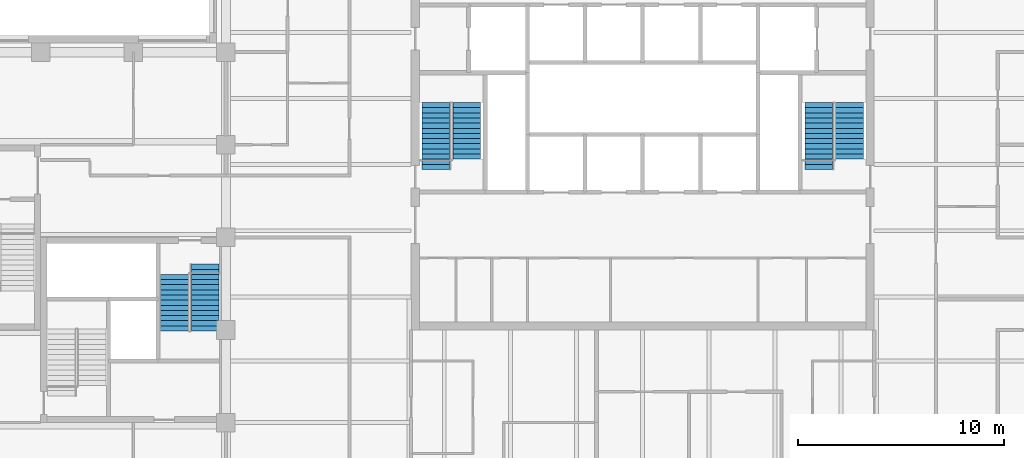
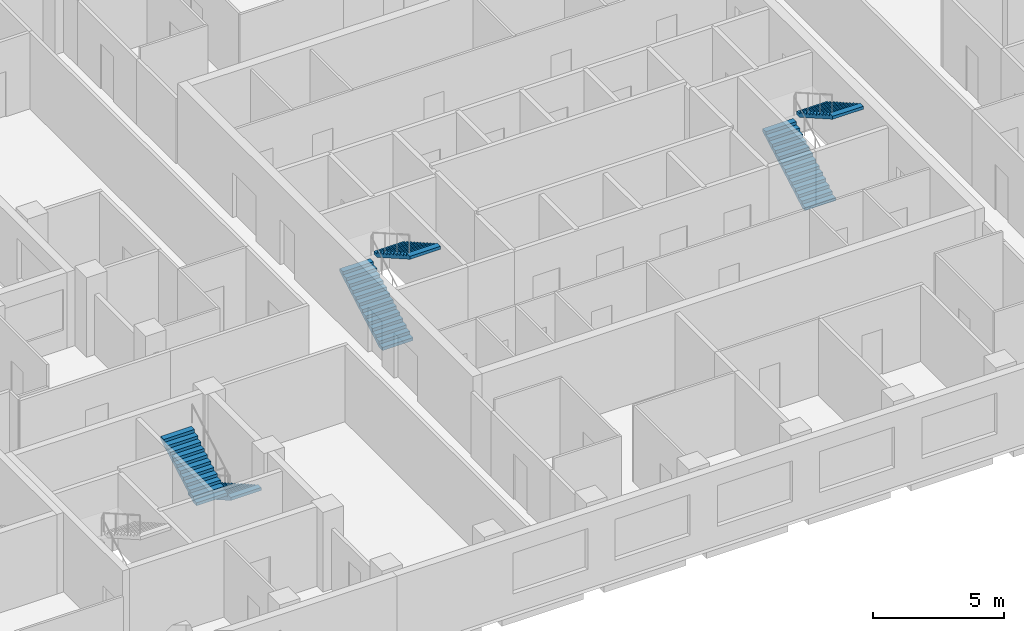
# One storey, part 9 of 10: 6 stair flights, 3 elements without a shape of their own.
"""IFC4 building model written with IfcOpenShell, lengths in metres."""

from ifc_helpers import new_model, si_unit, direction, frame, origin, place, context, subcontext, project, spatial, polyline, outline, extrude, material, type_object, element, aggregate, save


model = new_model("IFC4")

# Units and contexts
model_context = context("Model", 3, precision=1e-05, world=origin(), true_north=direction((0.0, 1.0)))
body_context = subcontext(model_context, "Body", "Model", "MODEL_VIEW")
ifc_project = project(units=[si_unit("LENGTHUNIT", "METRE"), si_unit("AREAUNIT", "SQUARE_METRE"), si_unit("VOLUMEUNIT", "CUBIC_METRE"), si_unit("PLANEANGLEUNIT", "RADIAN"), si_unit("MASSUNIT", "GRAM", prefix="KILO")], contexts=[model_context])

# Site, building, storey
site_placement = place(None, origin())
site = spatial("IfcSite", under=ifc_project, at=site_placement, CompositionType="ELEMENT")
building_placement = place(site_placement, origin())
building = spatial("IfcBuilding", under=site, at=building_placement, Name="Quoin Convention Tower", CompositionType="ELEMENT")
storey_placement = place(building_placement, frame((0.0, 0.0, 195.800048828125)))
storey = spatial("IfcBuildingStorey", under=building, at=storey_placement, Name="L51", CompositionType="ELEMENT", Elevation=195.800048828125)

# Stair, stair flights
ifc_material = material(Name="Concrete C40", Category="concrete")
stair_type = type_object("IfcStairType", Name="Exit stair two-flight 1350", PredefinedType="HALF_TURN_STAIR", material=ifc_material)
stair_1_placement = place(storey_placement, origin())
stair_1 = element("IfcStair", 1, at=stair_1_placement, inside=storey, type_object=stair_type, Name="SD1 L51", PredefinedType="HALF_TURN_STAIR")
stair_flight_type = type_object("IfcStairFlightType", Name="Stair flight 1350", PredefinedType="STRAIGHT", material=ifc_material)
stair_flight_1_placement = place(storey_placement, frame((46.199951171875, 57.300048828125, 0.0), z_axis=(0.0, 0.0, 1.0), x_axis=(0.0, 1.0, 0.0)))
stair_flight_1 = element("IfcStairFlight", 2, at=stair_flight_1_placement, type_object=stair_flight_type, Name="ST1 flight 1", NumberOfRisers=14, NumberOfTreads=13, PredefinedType="STRAIGHT", RiserHeight=0.142307692, TreadLength=0.25, context=body_context, shape_type="SweptSolid", body=[
    extrude(outline(polyline([(0.0, 0.0), (0.0, 0.142333984375), (0.25, 0.142333984375), (0.25, 0.28466796875), (0.5, 0.28466796875), (0.5, 0.427001953125), (0.75, 0.427001953125), (0.75, 0.5693359375), (1.0, 0.5693359375), (1.0, 0.71142578125), (1.25, 0.71142578125), (1.25, 0.853759765625), (1.5, 0.853759765625), (1.5, 0.99609375), (1.75, 0.99609375), (1.75, 1.138427734375), (2.0, 1.138427734375), (2.0, 1.28076171875), (2.25, 1.28076171875), (2.25, 1.423095703125), (2.5, 1.423095703125), (2.5, 1.5654296875), (2.75, 1.5654296875), (2.75, 1.707763671875), (3.0, 1.707763671875), (3.0, 1.85009765625), (3.25, 1.85009765625), (3.25, 1.9921875), (3.25, 1.711669921875), (0.242919921875, 0.0), (0.0, 0.0)])), frame((0.0, 0.675048828125, 0.0), z_axis=(0.0, -1.0, 0.0), x_axis=(1.0, 0.0, 0.0)), (0.0, 0.0, 1.0), 1.35009765625),
])
stair_flight_2_placement = place(storey_placement, frame((47.699951171875, 60.550048828125, 1.9921875), z_axis=(0.0, 0.0, 1.0), x_axis=(0.0, -1.0, 0.0)))
stair_flight_2 = element("IfcStairFlight", 3, at=stair_flight_2_placement, type_object=stair_flight_type, Name="ST1 flight 2", NumberOfRisers=12, NumberOfTreads=11, PredefinedType="STRAIGHT", RiserHeight=0.142307692, TreadLength=0.25, context=body_context, shape_type="SweptSolid", body=[
    extrude(outline(polyline([(0.0, 0.0), (0.0, 0.142333984375), (0.25, 0.142333984375), (0.25, 0.28466796875), (0.5, 0.28466796875), (0.5, 0.427001953125), (0.75, 0.427001953125), (0.75, 0.5693359375), (1.0, 0.5693359375), (1.0, 0.71142578125), (1.25, 0.71142578125), (1.25, 0.853759765625), (1.5, 0.853759765625), (1.5, 0.99609375), (1.75, 0.99609375), (1.75, 1.138427734375), (2.0, 1.138427734375), (2.0, 1.28076171875), (2.25, 1.28076171875), (2.25, 1.423095703125), (2.5, 1.423095703125), (2.5, 1.5654296875), (2.75, 1.5654296875), (2.75, 1.707763671875), (2.75, 1.42724609375), (0.242919921875, 0.0), (0.0, 0.0)])), frame((0.0, 0.675048828125, 0.0), z_axis=(0.0, -1.0, 0.0), x_axis=(1.0, 0.0, 0.0)), (0.0, 0.0, 1.0), 1.35009765625),
])
aggregate(stair_1, [stair_flight_1, stair_flight_2])

stair_2_placement = place(storey_placement, origin())
stair_2 = element("IfcStair", 4, at=stair_2_placement, inside=storey, type_object=stair_type, Name="SD2 L51", PredefinedType="HALF_TURN_STAIR")
stair_flight_3_placement = place(storey_placement, frame((64.800048828125, 57.300048828125, 0.0), z_axis=(0.0, 0.0, 1.0), x_axis=(0.0, 1.0, 0.0)))
stair_flight_3 = element("IfcStairFlight", 5, at=stair_flight_3_placement, type_object=stair_flight_type, Name="ST2 flight 1", NumberOfRisers=14, NumberOfTreads=13, PredefinedType="STRAIGHT", RiserHeight=0.142307692, TreadLength=0.25, context=body_context, shape_type="SweptSolid", body=[
    extrude(outline(polyline([(0.0, 0.0), (0.0, 0.142333984375), (0.25, 0.142333984375), (0.25, 0.28466796875), (0.5, 0.28466796875), (0.5, 0.427001953125), (0.75, 0.427001953125), (0.75, 0.5693359375), (1.0, 0.5693359375), (1.0, 0.71142578125), (1.25, 0.71142578125), (1.25, 0.853759765625), (1.5, 0.853759765625), (1.5, 0.99609375), (1.75, 0.99609375), (1.75, 1.138427734375), (2.0, 1.138427734375), (2.0, 1.28076171875), (2.25, 1.28076171875), (2.25, 1.423095703125), (2.5, 1.423095703125), (2.5, 1.5654296875), (2.75, 1.5654296875), (2.75, 1.707763671875), (3.0, 1.707763671875), (3.0, 1.85009765625), (3.25, 1.85009765625), (3.25, 1.9921875), (3.25, 1.711669921875), (0.242919921875, 0.0), (0.0, 0.0)])), frame((0.0, 0.675048828125, 0.0), z_axis=(0.0, -1.0, 0.0), x_axis=(1.0, 0.0, 0.0)), (0.0, 0.0, 1.0), 1.35009765625),
])
stair_flight_4_placement = place(storey_placement, frame((66.300048828125, 60.550048828125, 1.9921875), z_axis=(0.0, 0.0, 1.0), x_axis=(0.0, -1.0, 0.0)))
stair_flight_4 = element("IfcStairFlight", 6, at=stair_flight_4_placement, type_object=stair_flight_type, Name="ST2 flight 2", NumberOfRisers=12, NumberOfTreads=11, PredefinedType="STRAIGHT", RiserHeight=0.142307692, TreadLength=0.25, context=body_context, shape_type="SweptSolid", body=[
    extrude(outline(polyline([(0.0, 0.0), (0.0, 0.142333984375), (0.25, 0.142333984375), (0.25, 0.28466796875), (0.5, 0.28466796875), (0.5, 0.427001953125), (0.75, 0.427001953125), (0.75, 0.5693359375), (1.0, 0.5693359375), (1.0, 0.71142578125), (1.25, 0.71142578125), (1.25, 0.853759765625), (1.5, 0.853759765625), (1.5, 0.99609375), (1.75, 0.99609375), (1.75, 1.138427734375), (2.0, 1.138427734375), (2.0, 1.28076171875), (2.25, 1.28076171875), (2.25, 1.423095703125), (2.5, 1.423095703125), (2.5, 1.5654296875), (2.75, 1.5654296875), (2.75, 1.707763671875), (2.75, 1.42724609375), (0.242919921875, 0.0), (0.0, 0.0)])), frame((0.0, 0.675048828125, 0.0), z_axis=(0.0, -1.0, 0.0), x_axis=(1.0, 0.0, 0.0)), (0.0, 0.0, 1.0), 1.35009765625),
])
aggregate(stair_2, [stair_flight_3, stair_flight_4])

stair_3_placement = place(storey_placement, origin())
stair_3 = element("IfcStair", 7, at=stair_3_placement, inside=storey, type_object=stair_type, Name="SD4 L51", PredefinedType="HALF_TURN_STAIR")
stair_flight_5_placement = place(storey_placement, frame((35.0, 52.699951171875, 0.0), z_axis=(0.0, 0.0, 1.0), x_axis=(0.0, -1.0, 0.0)))
stair_flight_5 = element("IfcStairFlight", 8, at=stair_flight_5_placement, type_object=stair_flight_type, Name="ST4 flight 1", NumberOfRisers=14, NumberOfTreads=13, PredefinedType="STRAIGHT", RiserHeight=0.142307692, TreadLength=0.25, context=body_context, shape_type="SweptSolid", body=[
    extrude(outline(polyline([(0.0, 0.0), (0.0, 0.142333984375), (0.25, 0.142333984375), (0.25, 0.28466796875), (0.5, 0.28466796875), (0.5, 0.427001953125), (0.75, 0.427001953125), (0.75, 0.5693359375), (1.0, 0.5693359375), (1.0, 0.71142578125), (1.25, 0.71142578125), (1.25, 0.853759765625), (1.5, 0.853759765625), (1.5, 0.99609375), (1.75, 0.99609375), (1.75, 1.138427734375), (2.0, 1.138427734375), (2.0, 1.28076171875), (2.25, 1.28076171875), (2.25, 1.423095703125), (2.5, 1.423095703125), (2.5, 1.5654296875), (2.75, 1.5654296875), (2.75, 1.707763671875), (3.0, 1.707763671875), (3.0, 1.85009765625), (3.25, 1.85009765625), (3.25, 1.9921875), (3.25, 1.711669921875), (0.242919921875, 0.0), (0.0, 0.0)])), frame((0.0, 0.675048828125, 0.0), z_axis=(0.0, -1.0, 0.0), x_axis=(1.0, 0.0, 0.0)), (0.0, 0.0, 1.0), 1.35009765625),
])
stair_flight_6_placement = place(storey_placement, frame((33.5, 49.449951171875, 1.9921875), z_axis=(0.0, 0.0, 1.0), x_axis=(0.0, 1.0, 0.0)))
stair_flight_6 = element("IfcStairFlight", 9, at=stair_flight_6_placement, type_object=stair_flight_type, Name="ST4 flight 2", NumberOfRisers=12, NumberOfTreads=11, PredefinedType="STRAIGHT", RiserHeight=0.142307692, TreadLength=0.25, context=body_context, shape_type="SweptSolid", body=[
    extrude(outline(polyline([(0.0, 0.0), (0.0, 0.142333984375), (0.25, 0.142333984375), (0.25, 0.28466796875), (0.5, 0.28466796875), (0.5, 0.427001953125), (0.75, 0.427001953125), (0.75, 0.5693359375), (1.0, 0.5693359375), (1.0, 0.71142578125), (1.25, 0.71142578125), (1.25, 0.853759765625), (1.5, 0.853759765625), (1.5, 0.99609375), (1.75, 0.99609375), (1.75, 1.138427734375), (2.0, 1.138427734375), (2.0, 1.28076171875), (2.25, 1.28076171875), (2.25, 1.423095703125), (2.5, 1.423095703125), (2.5, 1.5654296875), (2.75, 1.5654296875), (2.75, 1.707763671875), (2.75, 1.42724609375), (0.242919921875, 0.0), (0.0, 0.0)])), frame((0.0, 0.675048828125, 0.0), z_axis=(0.0, -1.0, 0.0), x_axis=(1.0, 0.0, 0.0)), (0.0, 0.0, 1.0), 1.35009765625),
])
aggregate(stair_3, [stair_flight_5, stair_flight_6])

save(model, "model.ifc")
